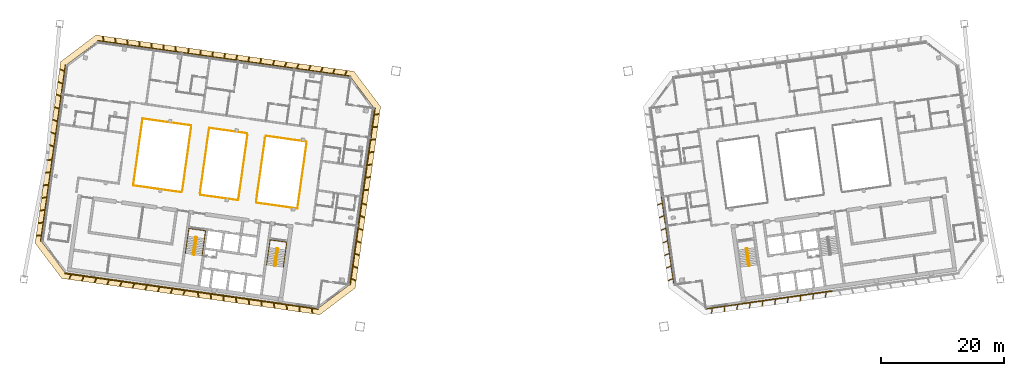
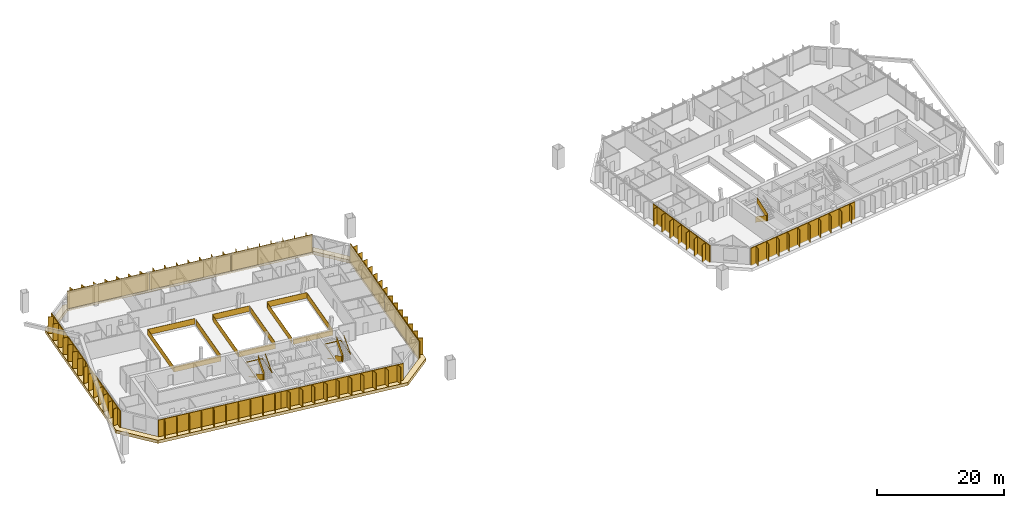
# One storey, part 22 of 23: 13 railings, 11 shading devices, 1 covering.
"""IFC4 building model written with IfcOpenShell, lengths in metres."""

from ifc_helpers import new_model, si_unit, direction, frame, origin, origin_2d, place, context, subcontext, project, spatial, polyline, rectangle, outline, extrude, material, layer, layer_set, type_object, element, save


model = new_model("IFC4")

# Units and contexts
model_context = context("Model", 3, precision=1e-05, world=origin(), true_north=direction((0.0, 1.0)))
body_context = subcontext(model_context, "Body", "Model", "MODEL_VIEW")
ifc_project = project(units=[si_unit("LENGTHUNIT", "METRE"), si_unit("AREAUNIT", "SQUARE_METRE"), si_unit("VOLUMEUNIT", "CUBIC_METRE"), si_unit("PLANEANGLEUNIT", "RADIAN"), si_unit("MASSUNIT", "GRAM", prefix="KILO")], contexts=[model_context])

# Site, building, storey
site_placement = place(None, origin())
site = spatial("IfcSite", under=ifc_project, at=site_placement, CompositionType="ELEMENT")
building_placement = place(site_placement, origin())
building = spatial("IfcBuilding", under=site, at=building_placement, Name="Mirante Cascada Hotel Towers", CompositionType="ELEMENT")
storey_placement = place(building_placement, frame((0.0, 0.0, 220.4)))
storey = spatial("IfcBuildingStorey", under=building, at=storey_placement, Name="L52", CompositionType="ELEMENT", Elevation=220.4)

# Railings
ifc_material_1 = material(Name="Toughened glass with stainless steel handrail", Category="steel")
railing_type_1 = type_object("IfcRailingType", Name="Atrium guard 1100 glass balustrade", PredefinedType="GUARDRAIL", material=ifc_material_1)
railing_1_placement = place(storey_placement, frame((-40.095, 7.0934, 0.0)))
element("IfcRailing", 1, at=railing_1_placement, inside=storey, type_object=railing_type_1, Name="GUARD 1-L52-1", PredefinedType="GUARDRAIL", context=body_context, shape_type="SweptSolid", body=[
    extrude(rectangle(XDim=0.048, YDim=0.048, at=origin_2d()), frame((0.0, 0.0, 1.076), z_axis=(0.9902687, -0.1391685, 0.0), x_axis=(0.1391685, 0.9902687, 0.0)), (0.0, 0.0, 1.0), 6.7623),
    extrude(rectangle(XDim=0.02, YDim=1.052, at=origin_2d()), frame((0.0, 0.0, 0.526), z_axis=(0.9902687, -0.1391685, 0.0), x_axis=(0.1391685, 0.9902687, 0.0)), (0.0, 0.0, 1.0), 6.7623),
    extrude(rectangle(XDim=0.048, YDim=0.048, at=origin_2d()), frame((6.6965, -0.9411, 1.076), z_axis=(-0.1391733, -0.990268, 0.0), x_axis=(0.990268, -0.1391733, 0.0)), (0.0, 0.0, 1.0), 11.0),
    extrude(rectangle(XDim=0.02, YDim=1.052, at=origin_2d()), frame((6.6965, -0.9411, 0.526), z_axis=(-0.1391733, -0.990268, 0.0), x_axis=(0.990268, -0.1391733, 0.0)), (0.0, 0.0, 1.0), 11.0),
    extrude(rectangle(XDim=0.048, YDim=0.048, at=origin_2d()), frame((5.1656, -11.834, 1.076), z_axis=(-0.9902687, 0.1391685, 0.0), x_axis=(-0.1391685, -0.9902687, 0.0)), (0.0, 0.0, 1.0), 6.7623),
    extrude(rectangle(XDim=0.02, YDim=1.052, at=origin_2d()), frame((5.1656, -11.834, 0.526), z_axis=(-0.9902687, 0.1391685, 0.0), x_axis=(-0.1391685, -0.9902687, 0.0)), (0.0, 0.0, 1.0), 6.7623),
])
railing_2_placement = place(storey_placement, frame((-44.5967, -3.382, 0.0)))
element("IfcRailing", 2, at=railing_2_placement, inside=storey, type_object=railing_type_1, Name="GUARD 1-L52-2", PredefinedType="GUARDRAIL", context=body_context, shape_type="SweptSolid", body=[
    extrude(rectangle(XDim=0.048, YDim=0.048, at=origin_2d()), frame((0.0, 0.0, 1.076), z_axis=(-0.9902672, 0.1391795, 0.0), x_axis=(-0.1391795, -0.9902672, 0.0)), (0.0, 0.0, 1.0), 6.2459),
    extrude(rectangle(XDim=0.02, YDim=1.052, at=origin_2d()), frame((0.0, 0.0, 0.526), z_axis=(-0.9902672, 0.1391795, 0.0), x_axis=(-0.1391795, -0.9902672, 0.0)), (0.0, 0.0, 1.0), 6.2459),
])
railing_3_placement = place(storey_placement, frame((-49.2509, 8.3802, 0.0)))
element("IfcRailing", 3, at=railing_3_placement, inside=storey, type_object=railing_type_1, Name="GUARD 1-L52-3", PredefinedType="GUARDRAIL", context=body_context, shape_type="SweptSolid", body=[
    extrude(rectangle(XDim=0.048, YDim=0.048, at=origin_2d()), frame((0.0, 0.0, 1.076), z_axis=(0.9902694, -0.1391638, 0.0), x_axis=(0.1391638, 0.9902694, 0.0)), (0.0, 0.0, 1.0), 6.2459),
    extrude(rectangle(XDim=0.02, YDim=1.052, at=origin_2d()), frame((0.0, 0.0, 0.526), z_axis=(0.9902694, -0.1391638, 0.0), x_axis=(0.1391638, 0.9902694, 0.0)), (0.0, 0.0, 1.0), 6.2459),
])
railing_4_placement = place(storey_placement, frame((-53.7526, -2.0952, 0.0)))
element("IfcRailing", 4, at=railing_4_placement, inside=storey, type_object=railing_type_1, Name="GUARD 1-L52-4", PredefinedType="GUARDRAIL", context=body_context, shape_type="SweptSolid", body=[
    extrude(rectangle(XDim=0.048, YDim=0.048, at=origin_2d()), frame((0.0, 0.0, 1.076), z_axis=(-0.9902688, 0.1391682, 0.0), x_axis=(-0.1391682, -0.9902688, 0.0)), (0.0, 0.0, 1.0), 7.9918),
    extrude(rectangle(XDim=0.02, YDim=1.052, at=origin_2d()), frame((0.0, 0.0, 0.526), z_axis=(-0.9902688, 0.1391682, 0.0), x_axis=(-0.1391682, -0.9902688, 0.0)), (0.0, 0.0, 1.0), 7.9918),
    extrude(rectangle(XDim=0.048, YDim=0.048, at=origin_2d()), frame((-7.914, 1.1122, 1.076), z_axis=(0.1391721, 0.9902682, 0.0), x_axis=(-0.9902682, 0.1391721, 0.0)), (0.0, 0.0, 1.0), 11.0001),
    extrude(rectangle(XDim=0.02, YDim=1.052, at=origin_2d()), frame((-7.914, 1.1122, 0.526), z_axis=(0.1391721, 0.9902682, 0.0), x_axis=(-0.9902682, 0.1391721, 0.0)), (0.0, 0.0, 1.0), 11.0001),
    extrude(rectangle(XDim=0.048, YDim=0.048, at=origin_2d()), frame((-6.3831, 12.0052, 1.076), z_axis=(0.990267, -0.1391804, 0.0), x_axis=(0.1391804, 0.990267, 0.0)), (0.0, 0.0, 1.0), 7.9918),
    extrude(rectangle(XDim=0.02, YDim=1.052, at=origin_2d()), frame((-6.3831, 12.0052, 0.526), z_axis=(0.990267, -0.1391804, 0.0), x_axis=(0.1391804, 0.990267, 0.0)), (0.0, 0.0, 1.0), 7.9918),
])
railing_5_placement = place(storey_placement, frame((-53.6629, -1.8093, 0.0)))
element("IfcRailing", 5, at=railing_5_placement, inside=storey, type_object=railing_type_1, Name="GUARD 1-L52-5", PredefinedType="GUARDRAIL", context=body_context, shape_type="SweptSolid", body=[
    extrude(rectangle(XDim=0.048, YDim=0.048, at=origin_2d()), frame((0.0, 0.0, 1.076), z_axis=(0.1391708, 0.9902684, 0.0), x_axis=(-0.9902684, 0.1391708, 0.0)), (0.0, 0.0, 1.0), 10.4088),
    extrude(rectangle(XDim=0.02, YDim=1.052, at=origin_2d()), frame((0.0, 0.0, 0.526), z_axis=(0.1391708, 0.9902684, 0.0), x_axis=(-0.9902684, 0.1391708, 0.0)), (0.0, 0.0, 1.0), 10.4088),
])
railing_6_placement = place(storey_placement, frame((-49.3406, 8.0943, 0.0)))
element("IfcRailing", 6, at=railing_6_placement, inside=storey, type_object=railing_type_1, Name="GUARD 1-L52-6", PredefinedType="GUARDRAIL", context=body_context, shape_type="SweptSolid", body=[
    extrude(rectangle(XDim=0.048, YDim=0.048, at=origin_2d()), frame((0.0, 0.0, 1.076), z_axis=(-0.1391721, -0.9902682, 0.0), x_axis=(0.9902682, -0.1391721, 0.0)), (0.0, 0.0, 1.0), 10.4087),
    extrude(rectangle(XDim=0.02, YDim=1.052, at=origin_2d()), frame((0.0, 0.0, 0.526), z_axis=(-0.1391721, -0.9902682, 0.0), x_axis=(0.9902682, -0.1391721, 0.0)), (0.0, 0.0, 1.0), 10.4087),
])
railing_7_placement = place(storey_placement, frame((-44.507, -3.096, 0.0)))
element("IfcRailing", 7, at=railing_7_placement, inside=storey, type_object=railing_type_1, Name="GUARD 1-L52-7", PredefinedType="GUARDRAIL", context=body_context, shape_type="SweptSolid", body=[
    extrude(rectangle(XDim=0.048, YDim=0.048, at=origin_2d()), frame((0.0, 0.0, 1.076), z_axis=(0.1391721, 0.9902682, 0.0), x_axis=(-0.9902682, 0.1391721, 0.0)), (0.0, 0.0, 1.0), 10.4087),
    extrude(rectangle(XDim=0.02, YDim=1.052, at=origin_2d()), frame((0.0, 0.0, 0.526), z_axis=(0.1391721, 0.9902682, 0.0), x_axis=(-0.9902682, 0.1391721, 0.0)), (0.0, 0.0, 1.0), 10.4087),
])
railing_8_placement = place(storey_placement, frame((-40.1847, 6.8075, 0.0)))
element("IfcRailing", 8, at=railing_8_placement, inside=storey, type_object=railing_type_1, Name="GUARD 1-L52-8", PredefinedType="GUARDRAIL", context=body_context, shape_type="SweptSolid", body=[
    extrude(rectangle(XDim=0.048, YDim=0.048, at=origin_2d()), frame((0.0, 0.0, 1.076), z_axis=(-0.1391721, -0.9902682, 0.0), x_axis=(0.9902682, -0.1391721, 0.0)), (0.0, 0.0, 1.0), 10.4087),
    extrude(rectangle(XDim=0.02, YDim=1.052, at=origin_2d()), frame((0.0, 0.0, 0.526), z_axis=(-0.1391721, -0.9902682, 0.0), x_axis=(0.9902682, -0.1391721, 0.0)), (0.0, 0.0, 1.0), 10.4087),
])

# Covering
ifc_material_2 = material(Name="Precast concrete C40/50 white", Category="concrete")
ifc_layer = layer(ifc_material_2, 0.6)
ifc_layer_set = layer_set([ifc_layer], Name="Precast concrete SUNSHADE band 1000x600")
covering_type = type_object("IfcCoveringType", Name="Precast concrete SUNSHADE band 1000x600", PredefinedType="CLADDING", material=ifc_layer_set)
covering_placement = place(storey_placement, frame((0.0, 0.0, -0.45)))
element("IfcCovering", 9, at=covering_placement, inside=storey, type_object=covering_type, Name="Precast concrete SUNSHADE band T1 L52", PredefinedType="CLADDING", context=body_context, shape_type="SweptSolid", body=[
    extrude(outline(polyline([(-77.628, -10.3671), (-73.4767, 19.171), (-67.7326, 23.4995), (-25.7106, 17.5937), (-21.3821, 11.8496), (-25.5334, -17.6885), (-31.2775, -22.017), (-73.2995, -16.1112), (-77.628, -10.3671)]), holes=[polyline([(-22.43, 11.5786), (-26.26, 16.6611), (-67.4616, 22.4516), (-72.5441, 18.6217), (-76.5801, -10.0961), (-72.7501, -15.1786), (-31.5485, -20.9691), (-26.466, -17.1392), (-22.43, 11.5786)])]), origin(), (0.0, 0.0, 1.0), 0.6),
])

# Railings
ifc_material_3 = material(Name="Painted steel", Category="steel")
railing_type_2 = type_object("IfcRailingType", Name="Stair guard 1100 steel balustrade", PredefinedType="GUARDRAIL", material=ifc_material_3)
railing_9_placement = place(storey_placement, frame((-38.1178, -11.2603, 0.0)))
element("IfcRailing", 10, at=railing_9_placement, inside=storey, type_object=railing_type_2, Name="L52 ST1-A stair guard 1", PredefinedType="GUARDRAIL", context=body_context, shape_type="SweptSolid", body=[
    extrude(rectangle(XDim=0.048, YDim=0.048, at=origin_2d()), frame((0.0, 0.0, 1.076), z_axis=(-0.9903326, 0.1387133, 0.0), x_axis=(-0.1387133, -0.9903326, 0.0)), (0.0, 0.0, 1.0), 0.1499),
    extrude(rectangle(XDim=0.02, YDim=1.052, at=origin_2d()), frame((0.0, 0.0, 0.526), z_axis=(-0.9903326, 0.1387133, 0.0), x_axis=(-0.1387133, -0.9903326, 0.0)), (0.0, 0.0, 1.0), 0.1499),
    extrude(rectangle(XDim=0.048, YDim=0.048, at=origin_2d()), frame((-0.1485, 0.0208, 1.076), z_axis=(-0.7991505, -0.6011309, 0.0), x_axis=(0.6011309, -0.7991505, 0.0)), (0.0, 0.9254529, 0.3788627), 0.1866),
    extrude(rectangle(XDim=0.02, YDim=1.052, at=origin_2d()), frame((-0.1485, 0.0208, 0.526), z_axis=(-0.7991505, -0.6011309, 0.0), x_axis=(0.6011309, -0.7991505, 0.0)), (0.0, 0.9254529, 0.3788627), 0.1866),
    extrude(rectangle(XDim=0.048, YDim=0.048, at=origin_2d()), frame((-0.205, -0.0217, 1.2487), z_axis=(-0.139176, -0.9902677, 0.0), x_axis=(0.9902677, -0.139176, 0.0)), (0.0, 0.5250212, 0.8510891), 3.29),
    extrude(rectangle(XDim=0.02, YDim=1.052, at=origin_2d()), frame((-0.205, -0.0217, 0.6987), z_axis=(-0.139176, -0.9902677, 0.0), x_axis=(0.9902677, -0.139176, 0.0)), (0.0, 0.5250212, 0.8510891), 3.29),
    extrude(rectangle(XDim=0.048, YDim=0.048, at=origin_2d()), frame((-0.5947, -2.7945, 2.976), z_axis=(0.9270311, -0.3749843, 0.0), x_axis=(0.3749843, 0.9270311, 0.0)), (0.0, 0.0, 1.0), 0.2061),
    extrude(rectangle(XDim=0.02, YDim=1.052, at=origin_2d()), frame((-0.5947, -2.7945, 2.426), z_axis=(0.9270311, -0.3749843, 0.0), x_axis=(0.3749843, 0.9270311, 0.0)), (0.0, 0.0, 1.0), 0.2061),
    extrude(rectangle(XDim=0.048, YDim=0.048, at=origin_2d()), frame((-0.4036, -2.8718, 2.976), z_axis=(-0.9902408, 0.1393672, 0.0), x_axis=(-0.1393672, -0.9902408, 0.0)), (0.0, 0.0, 1.0), 0.15),
    extrude(rectangle(XDim=0.02, YDim=1.052, at=origin_2d()), frame((-0.4036, -2.8718, 2.426), z_axis=(-0.9902408, 0.1393672, 0.0), x_axis=(-0.1393672, -0.9902408, 0.0)), (0.0, 0.0, 1.0), 0.15),
    extrude(rectangle(XDim=0.048, YDim=0.048, at=origin_2d()), frame((-0.5521, -2.8509, 2.976), z_axis=(0.9944948, 0.1047858, 0.0), x_axis=(-0.1047858, 0.9944948, 0.0)), (0.0, 0.6422034, 0.7665343), 0.2689),
    extrude(rectangle(XDim=0.02, YDim=1.052, at=origin_2d()), frame((-0.5521, -2.8509, 2.426), z_axis=(0.9944948, 0.1047858, 0.0), x_axis=(-0.1047858, 0.9944948, 0.0)), (0.0, 0.6422034, 0.7665343), 0.2689),
    extrude(rectangle(XDim=0.048, YDim=0.048, at=origin_2d()), frame((-0.3471, -2.8293, 3.1487), z_axis=(0.139176, 0.9902677, 0.0), x_axis=(-0.9902677, 0.139176, 0.0)), (0.0, 0.5250212, 0.8510891), 3.29),
    extrude(rectangle(XDim=0.02, YDim=1.052, at=origin_2d()), frame((-0.3471, -2.8293, 2.5987), z_axis=(0.139176, 0.9902677, 0.0), x_axis=(-0.9902677, 0.139176, 0.0)), (0.0, 0.5250212, 0.8510891), 3.29),
])
railing_10_placement = place(storey_placement, frame((-51.3379, -9.4024, 0.0)))
element("IfcRailing", 11, at=railing_10_placement, inside=storey, type_object=railing_type_2, Name="L52 ST1-B stair guard 1", PredefinedType="GUARDRAIL", context=body_context, shape_type="SweptSolid", body=[
    extrude(rectangle(XDim=0.048, YDim=0.048, at=origin_2d()), frame((0.0, 0.0, 1.076), z_axis=(-0.9902408, 0.1393672, 0.0), x_axis=(-0.1393672, -0.9902408, 0.0)), (0.0, 0.0, 1.0), 0.15),
    extrude(rectangle(XDim=0.02, YDim=1.052, at=origin_2d()), frame((0.0, 0.0, 0.526), z_axis=(-0.9902408, 0.1393672, 0.0), x_axis=(-0.1393672, -0.9902408, 0.0)), (0.0, 0.0, 1.0), 0.15),
    extrude(rectangle(XDim=0.048, YDim=0.048, at=origin_2d()), frame((-0.1485, 0.0209, 1.076), z_axis=(-0.7984711, -0.6020331, 0.0), x_axis=(0.6020331, -0.7984711, 0.0)), (0.0, 0.9253398, 0.3791387), 0.1866),
    extrude(rectangle(XDim=0.02, YDim=1.052, at=origin_2d()), frame((-0.1485, 0.0209, 0.526), z_axis=(-0.7984711, -0.6020331, 0.0), x_axis=(0.6020331, -0.7984711, 0.0)), (0.0, 0.9253398, 0.3791387), 0.1866),
    extrude(rectangle(XDim=0.048, YDim=0.048, at=origin_2d()), frame((-0.205, -0.0217, 1.2487), z_axis=(-0.139181, -0.990267, 0.0), x_axis=(0.990267, -0.139181, 0.0)), (0.0, 0.5250347, 0.8510808), 3.2899),
    extrude(rectangle(XDim=0.02, YDim=1.052, at=origin_2d()), frame((-0.205, -0.0217, 0.6987), z_axis=(-0.139181, -0.990267, 0.0), x_axis=(0.990267, -0.139181, 0.0)), (0.0, 0.5250347, 0.8510808), 3.2899),
    extrude(rectangle(XDim=0.048, YDim=0.048, at=origin_2d()), frame((-0.5947, -2.7944, 2.976), z_axis=(0.9268624, -0.3754011, 0.0), x_axis=(0.3754011, 0.9268624, 0.0)), (0.0, 0.0, 1.0), 0.2062),
    extrude(rectangle(XDim=0.02, YDim=1.052, at=origin_2d()), frame((-0.5947, -2.7944, 2.426), z_axis=(0.9268624, -0.3754011, 0.0), x_axis=(0.3754011, 0.9268624, 0.0)), (0.0, 0.0, 1.0), 0.2062),
    extrude(rectangle(XDim=0.048, YDim=0.048, at=origin_2d()), frame((-0.4036, -2.8718, 2.976), z_axis=(-0.9902408, 0.1393672, 0.0), x_axis=(-0.1393672, -0.9902408, 0.0)), (0.0, 0.0, 1.0), 0.15),
    extrude(rectangle(XDim=0.02, YDim=1.052, at=origin_2d()), frame((-0.4036, -2.8718, 2.426), z_axis=(-0.9902408, 0.1393672, 0.0), x_axis=(-0.1393672, -0.9902408, 0.0)), (0.0, 0.0, 1.0), 0.15),
    extrude(rectangle(XDim=0.048, YDim=0.048, at=origin_2d()), frame((-0.5521, -2.8509, 2.976), z_axis=(0.9944441, 0.1052656, 0.0), x_axis=(-0.1052656, 0.9944441, 0.0)), (0.0, 0.6421842, 0.7665504), 0.2689),
    extrude(rectangle(XDim=0.02, YDim=1.052, at=origin_2d()), frame((-0.5521, -2.8509, 2.426), z_axis=(0.9944441, 0.1052656, 0.0), x_axis=(-0.1052656, 0.9944441, 0.0)), (0.0, 0.6421842, 0.7665504), 0.2689),
    extrude(rectangle(XDim=0.048, YDim=0.048, at=origin_2d()), frame((-0.3471, -2.8292, 3.1487), z_axis=(0.139181, 0.990267, 0.0), x_axis=(-0.990267, 0.139181, 0.0)), (0.0, 0.5250347, 0.8510808), 3.2899),
    extrude(rectangle(XDim=0.02, YDim=1.052, at=origin_2d()), frame((-0.3471, -2.8292, 2.5987), z_axis=(0.139181, 0.990267, 0.0), x_axis=(-0.990267, 0.139181, 0.0)), (0.0, 0.5250347, 0.8510808), 3.2899),
])
railing_11_placement = place(storey_placement, frame((38.2663, -11.2395, 0.0)))
element("IfcRailing", 12, at=railing_11_placement, inside=storey, type_object=railing_type_2, Name="L52 ST2-A stair guard 1", PredefinedType="GUARDRAIL", context=body_context, shape_type="SweptSolid", body=[
    extrude(rectangle(XDim=0.048, YDim=0.048, at=origin_2d()), frame((0.0, 0.0, 1.076), z_axis=(-0.9903326, -0.1387133, 0.0), x_axis=(0.1387133, -0.9903326, 0.0)), (0.0, 0.0, 1.0), 0.1499),
    extrude(rectangle(XDim=0.02, YDim=1.052, at=origin_2d()), frame((0.0, 0.0, 0.526), z_axis=(-0.9903326, -0.1387133, 0.0), x_axis=(0.1387133, -0.9903326, 0.0)), (0.0, 0.0, 1.0), 0.1499),
    extrude(rectangle(XDim=0.048, YDim=0.048, at=origin_2d()), frame((-0.1485, -0.0208, 1.076), z_axis=(-0.6020331, -0.7984711, 0.0), x_axis=(0.7984711, -0.6020331, 0.0)), (0.0, 0.9253398, 0.3791387), 0.1866),
    extrude(rectangle(XDim=0.02, YDim=1.052, at=origin_2d()), frame((-0.1485, -0.0208, 0.526), z_axis=(-0.6020331, -0.7984711, 0.0), x_axis=(0.7984711, -0.6020331, 0.0)), (0.0, 0.9253398, 0.3791387), 0.1866),
    extrude(rectangle(XDim=0.048, YDim=0.048, at=origin_2d()), frame((-0.1911, -0.0773, 1.2487), z_axis=(0.139176, -0.9902677, 0.0), x_axis=(0.9902677, 0.139176, 0.0)), (0.0, 0.5250212, 0.8510891), 3.29),
    extrude(rectangle(XDim=0.02, YDim=1.052, at=origin_2d()), frame((-0.1911, -0.0773, 0.6987), z_axis=(0.139176, -0.9902677, 0.0), x_axis=(0.9902677, 0.139176, 0.0)), (0.0, 0.5250212, 0.8510891), 3.29),
    extrude(rectangle(XDim=0.048, YDim=0.048, at=origin_2d()), frame((0.1986, -2.8501, 2.976), z_axis=(0.9944948, -0.1047858, 0.0), x_axis=(0.1047858, 0.9944948, 0.0)), (0.0, 0.0, 1.0), 0.2061),
    extrude(rectangle(XDim=0.02, YDim=1.052, at=origin_2d()), frame((0.1986, -2.8501, 2.426), z_axis=(0.9944948, -0.1047858, 0.0), x_axis=(0.1047858, 0.9944948, 0.0)), (0.0, 0.0, 1.0), 0.2061),
    extrude(rectangle(XDim=0.048, YDim=0.048, at=origin_2d()), frame((0.4036, -2.8717, 2.976), z_axis=(-0.9902408, -0.1393672, 0.0), x_axis=(0.1393672, -0.9902408, 0.0)), (0.0, 0.0, 1.0), 0.15),
    extrude(rectangle(XDim=0.02, YDim=1.052, at=origin_2d()), frame((0.4036, -2.8717, 2.426), z_axis=(-0.9902408, -0.1393672, 0.0), x_axis=(0.1393672, -0.9902408, 0.0)), (0.0, 0.0, 1.0), 0.15),
    extrude(rectangle(XDim=0.048, YDim=0.048, at=origin_2d()), frame((0.2551, -2.8926, 2.976), z_axis=(0.9270311, 0.3749843, 0.0), x_axis=(-0.3749843, 0.9270311, 0.0)), (0.0, 0.6421903, 0.7665452), 0.2689),
    extrude(rectangle(XDim=0.02, YDim=1.052, at=origin_2d()), frame((0.2551, -2.8926, 2.426), z_axis=(0.9270311, 0.3749843, 0.0), x_axis=(-0.3749843, 0.9270311, 0.0)), (0.0, 0.6421903, 0.7665452), 0.2689),
    extrude(rectangle(XDim=0.048, YDim=0.048, at=origin_2d()), frame((0.4462, -2.8153, 3.1487), z_axis=(-0.139176, 0.9902677, 0.0), x_axis=(-0.9902677, -0.139176, 0.0)), (0.0, 0.5250212, 0.8510891), 3.29),
    extrude(rectangle(XDim=0.02, YDim=1.052, at=origin_2d()), frame((0.4462, -2.8153, 2.5987), z_axis=(-0.139176, 0.9902677, 0.0), x_axis=(-0.9902677, -0.139176, 0.0)), (0.0, 0.5250212, 0.8510891), 3.29),
])
ifc_material_4 = material(Name="Painted steel", Category="steel")
railing_type_3 = type_object("IfcRailingType", Name="Stair handrail 900 steel tube", PredefinedType="HANDRAIL", material=ifc_material_4)
railing_12_placement = place(storey_placement, frame((-39.5606, -11.1081, 0.1727)))
element("IfcRailing", 13, at=railing_12_placement, inside=storey, type_object=railing_type_3, Name="L52 ST1-A stair handrail 1", PredefinedType="HANDRAIL", context=body_context, shape_type="SweptSolid", body=[
    extrude(rectangle(XDim=0.048, YDim=0.048, at=origin_2d()), frame((0.0, 0.0, 0.876), z_axis=(-0.139181, -0.990267, 0.0), x_axis=(0.990267, -0.139181, 0.0)), (0.0, 0.5250347, 0.8510808), 3.2899),
    extrude(rectangle(XDim=0.048, YDim=0.048, at=origin_2d()), frame((-0.3897, -2.7727, 2.6033), z_axis=(0.1391707, 0.9902684, 0.0), x_axis=(-0.9902684, 0.1391707, 0.0)), (0.0, 0.0420846, 0.999114), 4.1036),
    extrude(rectangle(XDim=0.048, YDim=0.048, at=origin_2d()), frame((0.1809, 1.2874, 2.776), z_axis=(0.9902691, -0.1391657, 0.0), x_axis=(0.1391657, 0.9902691, 0.0)), (0.0, 0.0, 1.0), 2.75),
    extrude(rectangle(XDim=0.048, YDim=0.048, at=origin_2d()), frame((2.9041, 0.9047, 2.776), z_axis=(-0.1391707, -0.9902684, 0.0), x_axis=(0.9902684, -0.1391707, 0.0)), (0.0, 0.0, 1.0), 4.1),
    extrude(rectangle(XDim=0.048, YDim=0.048, at=origin_2d()), frame((2.3335, -3.1554, 2.776), z_axis=(0.139181, 0.990267, 0.0), x_axis=(-0.990267, 0.139181, 0.0)), (0.0, 0.5250347, 0.8510808), 3.2899),
])
railing_13_placement = place(storey_placement, frame((-52.7807, -9.2501, 0.1727)))
element("IfcRailing", 14, at=railing_13_placement, inside=storey, type_object=railing_type_3, Name="L52 ST1-B stair handrail 1", PredefinedType="HANDRAIL", context=body_context, shape_type="SweptSolid", body=[
    extrude(rectangle(XDim=0.048, YDim=0.048, at=origin_2d()), frame((0.0, 0.0, 0.876), z_axis=(-0.139181, -0.990267, 0.0), x_axis=(0.990267, -0.139181, 0.0)), (0.0, 0.5250347, 0.8510808), 3.2899),
    extrude(rectangle(XDim=0.048, YDim=0.048, at=origin_2d()), frame((-0.3897, -2.7727, 2.6033), z_axis=(0.1391707, 0.9902684, 0.0), x_axis=(-0.9902684, 0.1391707, 0.0)), (0.0, 0.0420846, 0.999114), 4.1036),
    extrude(rectangle(XDim=0.048, YDim=0.048, at=origin_2d()), frame((0.1809, 1.2874, 2.776), z_axis=(0.9902641, -0.1392013, 0.0), x_axis=(0.1392013, 0.9902641, 0.0)), (0.0, 0.0, 1.0), 2.75),
    extrude(rectangle(XDim=0.048, YDim=0.048, at=origin_2d()), frame((2.9041, 0.9046, 2.776), z_axis=(-0.1391707, -0.9902684, 0.0), x_axis=(0.9902684, -0.1391707, 0.0)), (0.0, 0.0, 1.0), 4.1),
    extrude(rectangle(XDim=0.048, YDim=0.048, at=origin_2d()), frame((2.3335, -3.1555, 2.776), z_axis=(0.139176, 0.9902677, 0.0), x_axis=(-0.9902677, 0.139176, 0.0)), (0.0, 0.5250212, 0.8510891), 3.29),
])

# Shading devices
ifc_material_5 = material(Name="White precast concrete C50/60 fin", Category="concrete")
shading_device_type = type_object("IfcShadingDeviceType", Name="Vertical fin set 4500x900", PredefinedType="USERDEFINED", material=ifc_material_5)
shading_device_1_placement = place(storey_placement, origin())
element("IfcShadingDevice", 15, at=shading_device_1_placement, inside=storey, type_object=shading_device_type, Name="FIN T1 L52 front 1", ObjectType="FIN", PredefinedType="USERDEFINED", context=body_context, shape_type="SweptSolid", body=[
    extrude(outline(polyline([(-54.6601, 20.8039), (-53.7068, 20.67), (-53.7277, 20.5214), (-67.4616, 22.4516), (-67.4407, 22.6001), (-66.514, 22.4699), (-66.616, 23.3012), (-66.5366, 23.3109), (-66.432, 22.4584), (-64.552, 22.1942), (-64.6541, 23.0254), (-64.5747, 23.0352), (-64.47, 22.1826), (-62.59, 21.9184), (-62.6921, 22.7497), (-62.6127, 22.7595), (-62.508, 21.9069), (-60.628, 21.6427), (-60.7301, 22.474), (-60.6507, 22.4837), (-60.546, 21.6312), (-58.666, 21.3669), (-58.7681, 22.1982), (-58.6887, 22.208), (-58.584, 21.3554), (-56.7041, 21.0912), (-56.8061, 21.9225), (-56.7267, 21.9322), (-56.6221, 21.0797), (-54.7421, 20.8155), (-54.8442, 21.6467), (-54.7647, 21.6565), (-54.6601, 20.8039)])), origin(), (0.0, 0.0, 1.0), 3.35),
])
shading_device_2_placement = place(storey_placement, origin())
element("IfcShadingDevice", 16, at=shading_device_2_placement, inside=storey, type_object=shading_device_type, Name="FIN T1 L52 front 2", ObjectType="FIN", PredefinedType="USERDEFINED", context=body_context, shape_type="SweptSolid", body=[
    extrude(outline(polyline([(-40.9143, 18.8721), (-39.9729, 18.7398), (-39.9938, 18.5913), (-53.7277, 20.5214), (-53.7068, 20.67), (-52.7654, 20.5377), (-52.6471, 21.3794), (-52.5679, 21.3683), (-52.6862, 20.5265), (-50.8035, 20.2619), (-50.6852, 21.1037), (-50.6059, 21.0925), (-50.7242, 20.2508), (-48.8415, 19.9862), (-48.7232, 20.8279), (-48.644, 20.8168), (-48.7623, 19.9751), (-46.8795, 19.7105), (-46.7612, 20.5522), (-46.682, 20.5411), (-46.8003, 19.6993), (-44.9175, 19.4347), (-44.7992, 20.2764), (-44.72, 20.2653), (-44.8383, 19.4236), (-42.9555, 19.159), (-42.8372, 20.0007), (-42.758, 19.9896), (-42.8763, 19.1478), (-40.9935, 18.8832), (-40.8753, 19.725), (-40.796, 19.7138), (-40.9143, 18.8721)])), origin(), (0.0, 0.0, 1.0), 3.35),
])
shading_device_3_placement = place(storey_placement, origin())
element("IfcShadingDevice", 17, at=shading_device_3_placement, inside=storey, type_object=shading_device_type, Name="FIN T1 L52 front 3", ObjectType="FIN", PredefinedType="USERDEFINED", context=body_context, shape_type="SweptSolid", body=[
    extrude(outline(polyline([(-27.1658, 16.9399), (-26.2391, 16.8096), (-26.26, 16.6611), (-39.9938, 18.5913), (-39.9729, 18.7398), (-39.0197, 18.6058), (-38.6841, 19.3965), (-38.6104, 19.3652), (-38.9377, 18.5943), (-37.0577, 18.3301), (-36.7221, 19.1208), (-36.6485, 19.0895), (-36.9757, 18.3186), (-35.0957, 18.0544), (-34.7601, 18.845), (-34.6865, 18.8138), (-35.0137, 18.0428), (-33.1338, 17.7786), (-32.7981, 18.5693), (-32.7245, 18.538), (-33.0517, 17.7671), (-31.1718, 17.5029), (-30.8362, 18.2936), (-30.7625, 18.2623), (-31.0898, 17.4914), (-29.2098, 17.2271), (-28.8742, 18.0178), (-28.8005, 17.9866), (-29.1278, 17.2156), (-27.2478, 16.9514), (-26.9122, 17.7421), (-26.8385, 17.7108), (-27.1658, 16.9399)])), origin(), (0.0, 0.0, 1.0), 3.35),
])
shading_device_4_placement = place(storey_placement, origin())
element("IfcShadingDevice", 18, at=shading_device_4_placement, inside=storey, type_object=shading_device_type, Name="FIN T1 L52 inner 1", ObjectType="FIN", PredefinedType="USERDEFINED", context=body_context, shape_type="SweptSolid", body=[
    extrude(outline(polyline([(-24.1592, -1.8033), (-24.2995, -2.8012), (-24.448, -2.7803), (-22.43, 11.5786), (-22.2815, 11.5577), (-22.418, 10.5864), (-21.5867, 10.6884), (-21.577, 10.609), (-22.4295, 10.5044), (-22.7063, 8.5351), (-21.875, 8.6372), (-21.8653, 8.5578), (-22.7178, 8.4531), (-22.9946, 6.4838), (-22.1633, 6.5859), (-22.1535, 6.5065), (-23.0061, 6.4018), (-23.2829, 4.4326), (-22.4516, 4.5346), (-22.4418, 4.4552), (-23.2944, 4.3505), (-23.5711, 2.3813), (-22.7399, 2.4834), (-22.7301, 2.404), (-23.5827, 2.2993), (-23.8594, 0.33), (-23.0282, 0.4321), (-23.0184, 0.3527), (-23.871, 0.248), (-24.1477, -1.7212), (-23.3164, -1.6192), (-23.3067, -1.6986), (-24.1592, -1.8033)])), origin(), (0.0, 0.0, 1.0), 3.35),
])
shading_device_5_placement = place(storey_placement, origin())
element("IfcShadingDevice", 19, at=shading_device_5_placement, inside=storey, type_object=shading_device_type, Name="FIN T1 L52 inner 2", ObjectType="FIN", PredefinedType="USERDEFINED", context=body_context, shape_type="SweptSolid", body=[
    extrude(outline(polyline([(-26.181, -16.1887), (-26.3175, -17.16), (-26.466, -17.1392), (-24.448, -2.7803), (-24.2995, -2.8012), (-24.4397, -3.799), (-23.6491, -4.1347), (-23.6803, -4.2083), (-24.4513, -3.8811), (-24.728, -5.8503), (-23.9374, -6.1859), (-23.9686, -6.2596), (-24.7396, -5.9323), (-25.0163, -7.9016), (-24.2256, -8.2372), (-24.2569, -8.3108), (-25.0278, -7.9836), (-25.3046, -9.9529), (-24.5139, -10.2885), (-24.5452, -10.3621), (-25.3161, -10.0349), (-25.5929, -12.0041), (-24.8022, -12.3397), (-24.8335, -12.4134), (-25.6044, -12.0861), (-25.8812, -14.0554), (-25.0905, -14.391), (-25.1218, -14.4647), (-25.8927, -14.1374), (-26.1695, -16.1067), (-25.3788, -16.4423), (-25.41, -16.5159), (-26.181, -16.1887)])), origin(), (0.0, 0.0, 1.0), 3.35),
])
shading_device_6_placement = place(storey_placement, origin())
element("IfcShadingDevice", 20, at=shading_device_6_placement, inside=storey, type_object=shading_device_type, Name="FIN T1 L52 outer 1", ObjectType="FIN", PredefinedType="USERDEFINED", context=body_context, shape_type="SweptSolid", body=[
    extrude(outline(polyline([(-76.5806, -9.0218), (-76.3038, -7.0526), (-77.1351, -7.1547), (-77.1448, -7.0753), (-76.2923, -6.9706), (-76.0155, -5.0013), (-76.8468, -5.1034), (-76.8565, -5.024), (-76.004, -4.9193), (-75.7272, -2.9501), (-76.5585, -3.0521), (-76.5683, -2.9727), (-75.7157, -2.868), (-75.4389, -0.8988), (-76.2702, -1.0009), (-76.28, -0.9214), (-75.4274, -0.8168), (-75.1507, 1.1525), (-75.9819, 1.0504), (-75.9917, 1.1298), (-75.1391, 1.2345), (-74.8624, 3.2038), (-75.6937, 3.1017), (-75.7034, 3.1811), (-74.8508, 3.2858), (-74.7106, 4.2837), (-74.5621, 4.2628), (-76.5801, -10.0961), (-76.7286, -10.0752), (-76.5921, -9.1039), (-77.4234, -9.2059), (-77.4331, -9.1265), (-76.5806, -9.0218)])), origin(), (0.0, 0.0, 1.0), 3.35),
])
shading_device_7_placement = place(storey_placement, origin())
element("IfcShadingDevice", 21, at=shading_device_7_placement, inside=storey, type_object=shading_device_type, Name="FIN T1 L52 outer 2", ObjectType="FIN", PredefinedType="USERDEFINED", context=body_context, shape_type="SweptSolid", body=[
    extrude(outline(polyline([(-74.5588, 5.3636), (-74.2821, 7.3328), (-75.0727, 7.6684), (-75.0415, 7.7421), (-74.2705, 7.4148), (-73.9938, 9.3841), (-74.7845, 9.7197), (-74.7532, 9.7934), (-73.9823, 9.4661), (-73.7055, 11.4354), (-74.4962, 11.771), (-74.4649, 11.8446), (-73.694, 11.5174), (-73.4172, 13.4866), (-74.2079, 13.8223), (-74.1766, 13.8959), (-73.4057, 13.5687), (-73.1289, 15.5379), (-73.9196, 15.8735), (-73.8883, 15.9472), (-73.1174, 15.6199), (-72.8406, 17.5892), (-73.6313, 17.9248), (-73.6, 17.9984), (-72.8291, 17.6712), (-72.6926, 18.6426), (-72.5441, 18.6217), (-74.5621, 4.2628), (-74.7106, 4.2837), (-74.5704, 5.2816), (-75.361, 5.6172), (-75.3298, 5.6908), (-74.5588, 5.3636)])), origin(), (0.0, 0.0, 1.0), 3.35),
])
shading_device_8_placement = place(storey_placement, origin())
element("IfcShadingDevice", 22, at=shading_device_8_placement, inside=storey, type_object=shading_device_type, Name="FIN T1 L52 rear 1", ObjectType="FIN", PredefinedType="USERDEFINED", context=body_context, shape_type="SweptSolid", body=[
    extrude(outline(polyline([(-42.9276, -19.5213), (-44.9057, -19.2433), (-44.8036, -20.0746), (-44.883, -20.0844), (-44.9877, -19.2318), (-46.9657, -18.9538), (-46.8637, -19.7851), (-46.9431, -19.7948), (-47.0478, -18.9423), (-49.0258, -18.6643), (-48.9237, -19.4956), (-49.0032, -19.5053), (-49.1078, -18.6528), (-51.0859, -18.3748), (-50.9838, -19.206), (-51.0632, -19.2158), (-51.1679, -18.3632), (-52.1702, -18.2224), (-52.1493, -18.0738), (-31.5485, -20.9691), (-31.5694, -21.1176), (-32.5452, -20.9805), (-32.4431, -21.8118), (-32.5225, -21.8215), (-32.6272, -20.969), (-34.6053, -20.691), (-34.5032, -21.5222), (-34.5826, -21.532), (-34.6873, -20.6794), (-36.6653, -20.4014), (-36.5633, -21.2327), (-36.6427, -21.2425), (-36.7473, -20.3899), (-38.7254, -20.1119), (-38.6233, -20.9432), (-38.7027, -20.9529), (-38.8074, -20.1004), (-40.7855, -19.8224), (-40.6834, -20.6537), (-40.7628, -20.6634), (-40.8675, -19.8109), (-42.8456, -19.5329), (-42.7435, -20.3641), (-42.8229, -20.3739), (-42.9276, -19.5213)])), origin(), (0.0, 0.0, 1.0), 3.35),
])
shading_device_9_placement = place(storey_placement, origin())
element("IfcShadingDevice", 23, at=shading_device_9_placement, inside=storey, type_object=shading_device_type, Name="FIN T1 L52 rear 2", ObjectType="FIN", PredefinedType="USERDEFINED", context=body_context, shape_type="SweptSolid", body=[
    extrude(outline(polyline([(-63.5549, -16.6224), (-65.533, -16.3444), (-65.8686, -17.135), (-65.9423, -17.1038), (-65.615, -16.3328), (-67.5931, -16.0548), (-67.9287, -16.8455), (-68.0023, -16.8142), (-67.6751, -16.0433), (-69.6532, -15.7653), (-69.9888, -16.556), (-70.0624, -16.5247), (-69.7352, -15.7538), (-71.7132, -15.4758), (-72.0489, -16.2665), (-72.1225, -16.2352), (-71.7953, -15.4643), (-72.771, -15.3271), (-72.7501, -15.1786), (-52.1493, -18.0738), (-52.1702, -18.2224), (-53.1725, -18.0815), (-53.5081, -18.8722), (-53.5818, -18.8409), (-53.2545, -18.07), (-55.2326, -17.792), (-55.5682, -18.5827), (-55.6419, -18.5514), (-55.3146, -17.7805), (-57.2927, -17.5025), (-57.6283, -18.2931), (-57.7019, -18.2619), (-57.3747, -17.4909), (-59.3528, -17.2129), (-59.6884, -18.0036), (-59.762, -17.9724), (-59.4348, -17.2014), (-61.4128, -16.9234), (-61.7485, -17.7141), (-61.8221, -17.6828), (-61.4949, -16.9119), (-63.4729, -16.6339), (-63.8085, -17.4246), (-63.8822, -17.3933), (-63.5549, -16.6224)])), origin(), (0.0, 0.0, 1.0), 3.35),
])
shading_device_10_placement = place(storey_placement, origin())
element("IfcShadingDevice", 24, at=shading_device_10_placement, inside=storey, type_object=shading_device_type, Name="FIN T2 L52 inner 2", ObjectType="FIN", PredefinedType="USERDEFINED", context=body_context, shape_type="SweptSolid", body=[
    extrude(outline(polyline([(25.3788, -16.4423), (26.1695, -16.1067), (25.8927, -14.1374), (25.1218, -14.4647), (25.0905, -14.391), (25.8812, -14.0554), (25.6044, -12.0861), (24.8335, -12.4134), (24.8022, -12.3397), (25.5929, -12.0041), (25.3161, -10.0349), (24.5452, -10.3621), (24.5139, -10.2885), (25.3046, -9.9529), (25.0278, -7.9836), (24.2569, -8.3108), (24.2256, -8.2372), (25.0163, -7.9016), (24.7396, -5.9323), (23.9686, -6.2596), (23.9374, -6.1859), (24.728, -5.8503), (24.4513, -3.8811), (23.6803, -4.2083), (23.6491, -4.1347), (24.4397, -3.799), (24.2995, -2.8012), (24.448, -2.7803), (26.466, -17.1392), (26.3175, -17.16), (26.181, -16.1887), (25.41, -16.5159), (25.3788, -16.4423)])), origin(), (0.0, 0.0, 1.0), 3.35),
])
shading_device_11_placement = place(storey_placement, origin())
element("IfcShadingDevice", 25, at=shading_device_11_placement, inside=storey, type_object=shading_device_type, Name="FIN T2 L52 rear 1", ObjectType="FIN", PredefinedType="USERDEFINED", context=body_context, shape_type="SweptSolid", body=[
    extrude(outline(polyline([(32.4431, -21.8118), (32.5452, -20.9805), (31.5694, -21.1176), (31.5485, -20.9691), (52.1493, -18.0738), (52.1702, -18.2224), (51.1679, -18.3632), (51.0632, -19.2158), (50.9838, -19.206), (51.0859, -18.3748), (49.1078, -18.6528), (49.0032, -19.5053), (48.9237, -19.4956), (49.0258, -18.6643), (47.0478, -18.9423), (46.9431, -19.7948), (46.8637, -19.7851), (46.9657, -18.9538), (44.9877, -19.2318), (44.883, -20.0844), (44.8036, -20.0746), (44.9057, -19.2433), (42.9276, -19.5213), (42.8229, -20.3739), (42.7435, -20.3641), (42.8456, -19.5329), (40.8675, -19.8109), (40.7628, -20.6634), (40.6834, -20.6537), (40.7855, -19.8224), (38.8074, -20.1004), (38.7027, -20.9529), (38.6233, -20.9432), (38.7254, -20.1119), (36.7473, -20.3899), (36.6427, -21.2425), (36.5633, -21.2327), (36.6653, -20.4014), (34.6873, -20.6794), (34.5826, -21.532), (34.5032, -21.5222), (34.6053, -20.691), (32.6272, -20.969), (32.5225, -21.8215), (32.4431, -21.8118)])), origin(), (0.0, 0.0, 1.0), 3.35),
])

save(model, "model.ifc")
